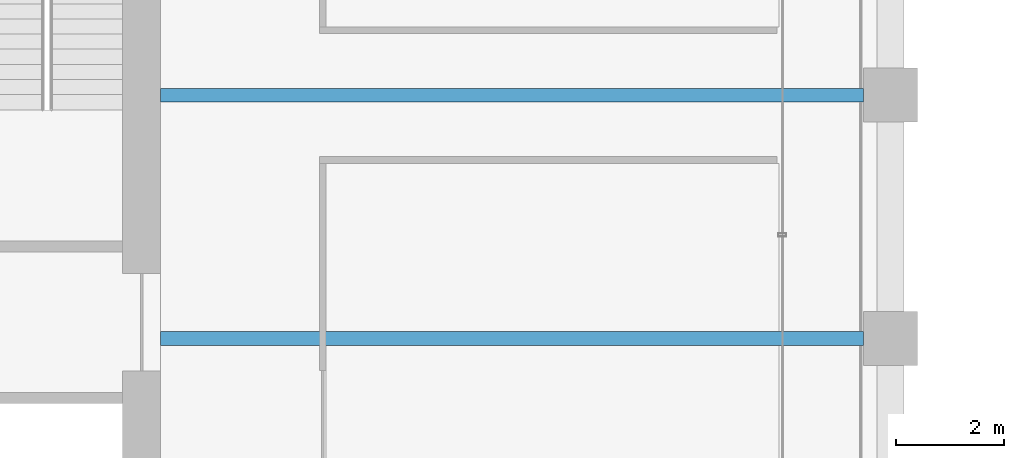
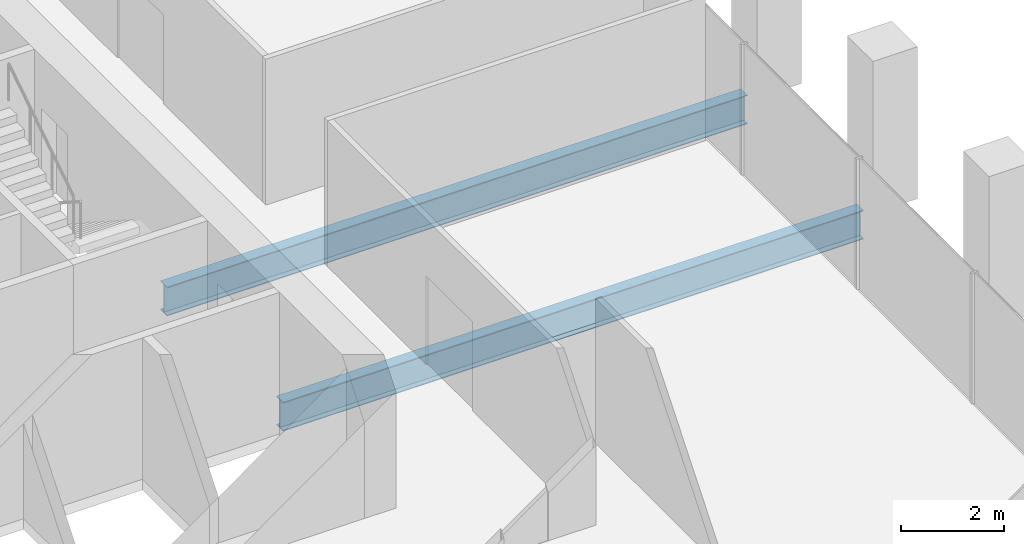
# One storey, part 16 of 46: 2 beams.
"""IFC4 building model written with IfcOpenShell, lengths in metres."""

from ifc_helpers import new_model, si_unit, direction, frame, origin, origin_2d, place, context, subcontext, project, spatial, i_section, extrude, material, material_profile, profile_set, type_object, element, save


model = new_model("IFC4")

# Units and contexts
model_context = context("Model", 3, precision=1e-05, world=origin(), true_north=direction((0.0, 1.0)))
body_context = subcontext(model_context, "Body", "Model", "MODEL_VIEW")
ifc_project = project(units=[si_unit("LENGTHUNIT", "METRE"), si_unit("AREAUNIT", "SQUARE_METRE"), si_unit("VOLUMEUNIT", "CUBIC_METRE"), si_unit("PLANEANGLEUNIT", "RADIAN"), si_unit("MASSUNIT", "GRAM", prefix="KILO")], contexts=[model_context])

# Site, building, storey
site_placement = place(None, origin())
site = spatial("IfcSite", under=ifc_project, at=site_placement, CompositionType="ELEMENT")
building_placement = place(site_placement, origin())
building = spatial("IfcBuilding", under=site, at=building_placement, Name="Altepetl Exchange Towers", CompositionType="ELEMENT")
storey_placement = place(building_placement, frame((0.0, 0.0, 124.39990234375)))
storey = spatial("IfcBuildingStorey", under=building, at=storey_placement, Name="L30", CompositionType="ELEMENT", Elevation=124.39990234375)

# Beams
ifc_material = material(Name="Steel S355", Category="steel")
ifc_material_profile = material_profile(ifc_material, i_section(OverallWidth=0.25390625, OverallDepth=0.68408203125, WebThickness=0.012451171875, FlangeThickness=0.018798828125, at=origin_2d()), Name="W27X94")
ifc_profile_set = profile_set([ifc_material_profile], Name="Steel S355")
beam_type = type_object("IfcBeamType", Name="Floor beam W27X94", PredefinedType="BEAM", material=ifc_profile_set)
for number, where, z_axis, x_axis, name in (
    (1, (58.5, 45.0, -0.491943359375), (1.0, 0.0, 0.0), (0.0, 1.0, 0.0), "bm:A:L30:009"),
    (2, (58.5, 49.5, -0.491943359375), (1.0, 0.0, 0.0), (0.0, 1.0, 0.0), "bm:A:L30:010"),
):
    element("IfcBeam", number, at=place(storey_placement, frame(where, z_axis=z_axis, x_axis=x_axis)), inside=storey, type_object=beam_type, Name=name, PredefinedType="BEAM", context=body_context, shape_type="SweptSolid", body=[
        extrude(i_section(OverallWidth=0.25390625, OverallDepth=0.68408203125, WebThickness=0.012451171875, FlangeThickness=0.018798828125, at=origin_2d()), origin(), (0.0, 0.0, 1.0), 13.0),
    ])

save(model, "model.ifc")
